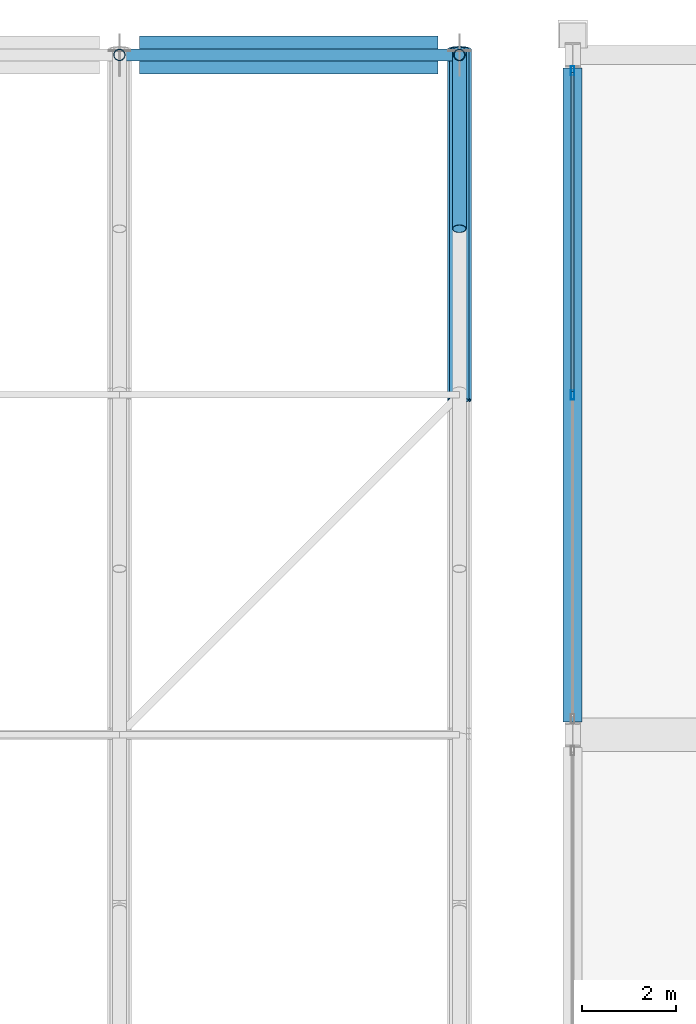
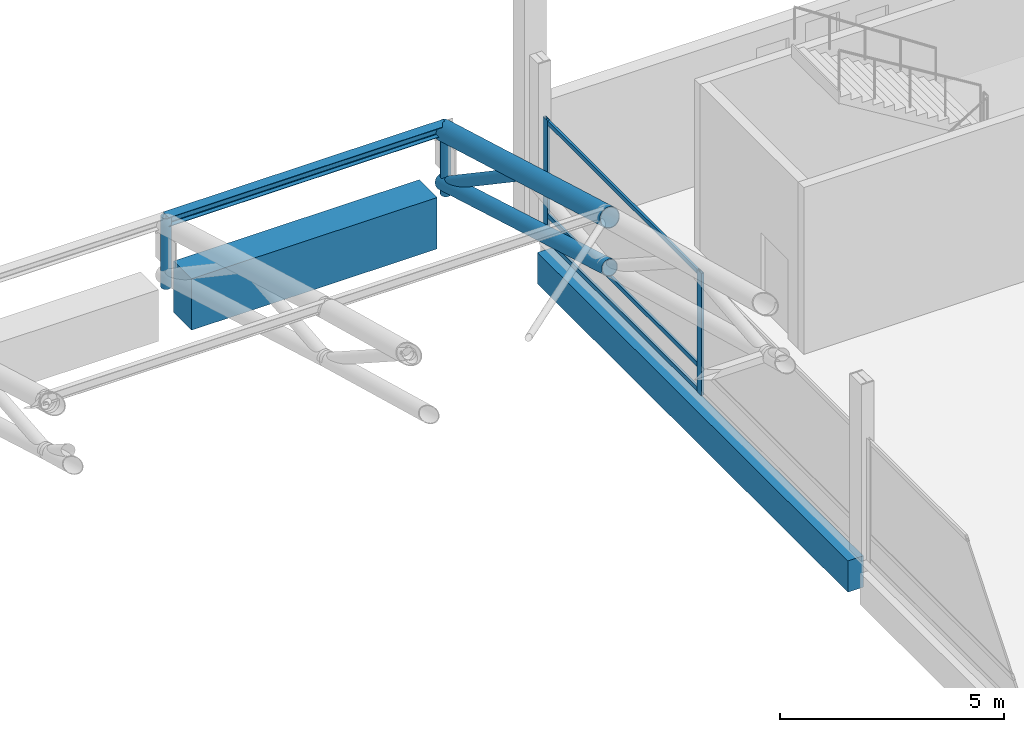
# One storey, part 102 of 193: 11 members, 2 beams, 1 element without a shape of its own.
"""IFC4 building model written with IfcOpenShell, lengths in metres."""

from ifc_helpers import new_model, si_unit, direction, frame, origin, origin_2d, place, context, subcontext, project, spatial, rectangle, hollow_rectangle, hollow_circle, i_section, extrude, material, material_profile, profile_set, type_object, element, aggregate, save


model = new_model("IFC4")

# Units and contexts
model_context = context("Model", 3, precision=1e-05, world=origin(), true_north=direction((0.0, 1.0)))
body_context = subcontext(model_context, "Body", "Model", "MODEL_VIEW")
ifc_project = project(units=[si_unit("LENGTHUNIT", "METRE"), si_unit("AREAUNIT", "SQUARE_METRE"), si_unit("VOLUMEUNIT", "CUBIC_METRE"), si_unit("PLANEANGLEUNIT", "RADIAN"), si_unit("MASSUNIT", "GRAM", prefix="KILO")], contexts=[model_context])

# Site, building, storey
site_placement = place(None, origin())
site = spatial("IfcSite", under=ifc_project, at=site_placement, CompositionType="ELEMENT")
building_placement = place(site_placement, origin())
building = spatial("IfcBuilding", under=site, at=building_placement, Name="Cendralis Lancet Convention Centre", CompositionType="ELEMENT")
storey_placement = place(building_placement, frame((0.0, 0.0, 10.199951171875)))
storey = spatial("IfcBuildingStorey", under=building, at=storey_placement, Name="L02", CompositionType="ELEMENT", Elevation=10.199951171875)

# Curtain wall, members
ifc_material_1 = material(Name="Anodised bronze architectural aluminium", Category="aluminium")
curtain_wall_type = type_object("IfcCurtainWallType", Name="ARC-CW-BL01", PredefinedType="USERDEFINED", material=ifc_material_1)
curtain_wall_placement = place(storey_placement, origin())
curtain_wall = element("IfcCurtainWall", 1, at=curtain_wall_placement, inside=storey, type_object=curtain_wall_type, Name="L02 Curtain Wall CW-BL1 #159", ObjectType="CURTAIN WALL", PredefinedType="USERDEFINED")
ifc_material_profile_1 = material_profile(ifc_material_1, hollow_rectangle(XDim=0.070068359375, YDim=0.199951171875, WallThickness=0.0048828125, at=origin_2d()), Name="AL-MULL 70x200x5.0")
ifc_profile_set_1 = profile_set([ifc_material_profile_1], Name="Anodised bronze architectural aluminium")
member_type_1 = type_object("IfcMemberType", Name="ARC-CW-ML02", PredefinedType="MULLION", material=ifc_profile_set_1)
member_1_placement = place(storey_placement, frame((124.800048828125, 129.60009765625, 0.0), z_axis=(0.0, 0.0, 1.0), x_axis=(1.0, 0.0, 0.0)))
member_1 = element("IfcMember", 2, at=member_1_placement, type_object=member_type_1, Name="Mullion CW2-CW-BL1-L02-159-M1", PredefinedType="MULLION", context=body_context, shape_type="SweptSolid", body=[
    extrude(hollow_rectangle(XDim=0.070068359375, YDim=0.199951171875, WallThickness=0.0048828125, at=origin_2d()), origin(), (0.0, 0.0, 1.0), 3.324951171875),
])
member_2_placement = place(storey_placement, frame((124.800048828125, 136.465087890625, 0.0), z_axis=(0.0, 0.0, 1.0), x_axis=(1.0, 0.0, 0.0)))
member_2 = element("IfcMember", 3, at=member_2_placement, type_object=member_type_1, Name="Mullion CW2-CW-BL1-L02-159-M2", PredefinedType="MULLION", context=body_context, shape_type="SweptSolid", body=[
    extrude(hollow_rectangle(XDim=0.070068359375, YDim=0.199951171875, WallThickness=0.0048828125, at=origin_2d()), origin(), (0.0, 0.0, 1.0), 3.324951171875),
])
ifc_material_profile_2 = material_profile(ifc_material_1, hollow_rectangle(XDim=0.06005859375, YDim=0.1201171875, WallThickness=0.00390625, at=origin_2d()), Name="AL-TRAN 60x120x4.0")
ifc_profile_set_2 = profile_set([ifc_material_profile_2], Name="Anodised bronze architectural aluminium")
member_type_2 = type_object("IfcMemberType", Name="ARC-CW-TR01", PredefinedType="USERDEFINED", material=ifc_profile_set_2)
member_3_placement = place(storey_placement, frame((124.800048828125, 129.669921875, 0.06005859375), z_axis=(0.0, 1.0, 0.0), x_axis=(-1.0, 0.0, 0.0)))
member_3 = element("IfcMember", 4, at=member_3_placement, type_object=member_type_2, Name="Transom CW2-CW-BL1-L02-159-T1BOT", ObjectType="TRANSOM", PredefinedType="USERDEFINED", context=body_context, shape_type="SweptSolid", body=[
    extrude(hollow_rectangle(XDim=0.06005859375, YDim=0.1201171875, WallThickness=0.00390625, at=origin_2d()), origin(), (0.0, 0.0, 1.0), 6.760009765625),
])
member_4_placement = place(storey_placement, frame((124.800048828125, 129.669921875, 0.7314453125), z_axis=(0.0, 1.0, 0.0), x_axis=(-1.0, 0.0, 0.0)))
member_4 = element("IfcMember", 5, at=member_4_placement, type_object=member_type_2, Name="Transom CW2-CW-BL1-L02-159-T1MID", ObjectType="TRANSOM", PredefinedType="USERDEFINED", context=body_context, shape_type="SweptSolid", body=[
    extrude(hollow_rectangle(XDim=0.06005859375, YDim=0.1201171875, WallThickness=0.00390625, at=origin_2d()), origin(), (0.0, 0.0, 1.0), 6.760009765625),
])
member_5_placement = place(storey_placement, frame((124.800048828125, 129.669921875, 3.26513671875), z_axis=(0.0, 1.0, 0.0), x_axis=(-1.0, 0.0, 0.0)))
member_5 = element("IfcMember", 6, at=member_5_placement, type_object=member_type_2, Name="Transom CW2-CW-BL1-L02-159-T1TOP", ObjectType="TRANSOM", PredefinedType="USERDEFINED", context=body_context, shape_type="SweptSolid", body=[
    extrude(hollow_rectangle(XDim=0.06005859375, YDim=0.1201171875, WallThickness=0.00390625, at=origin_2d()), origin(), (0.0, 0.0, 1.0), 6.760009765625),
])
aggregate(curtain_wall, [member_1, member_2, member_3, member_4, member_5])

# Beam
ifc_material_2 = material(Name="Concrete G40 (C40/50)", Category="concrete")
ifc_material_profile_3 = material_profile(ifc_material_2, rectangle(XDim=0.800048828125, YDim=1.39990234375, at=origin_2d()), Name="RCB 800x1400")
ifc_profile_set_3 = profile_set([ifc_material_profile_3], Name="Concrete G40 (C40/50)")
beam_type_1 = type_object("IfcBeamType", Name="STR-BM-BG17", PredefinedType="BEAM", material=ifc_profile_set_3)
beam_1_placement = place(storey_placement, frame((115.625, 136.800048828125, 1.5), z_axis=(1.0, 0.0, 0.0), x_axis=(0.0, 1.0, 0.0)))
element("IfcBeam", 7, at=beam_1_placement, inside=storey, type_object=beam_type_1, Name="L02 Beam BG17 #1336", PredefinedType="BEAM", context=body_context, shape_type="SweptSolid", body=[
    extrude(rectangle(XDim=0.800048828125, YDim=1.39990234375, at=origin_2d()), origin(), (0.0, 0.0, 1.0), 6.324951171875),
])

# Member
ifc_material_3 = material(Name="Steel S355", Category="steel")
ifc_material_profile_4 = material_profile(ifc_material_3, i_section(OverallWidth=0.260009765625, OverallDepth=0.25, WebThickness=0.007568359375, FlangeThickness=0.012451171875, FilletRadius=0.02392578125, at=origin_2d()), Name="HEA 260")
ifc_profile_set_4 = profile_set([ifc_material_profile_4], Name="Steel S355")
member_type_3 = type_object("IfcMemberType", Name="STR-PR-PR07", PredefinedType="PURLIN", material=ifc_profile_set_4)
member_6_placement = place(storey_placement, frame((115.199951171875, 136.800048828125, 3.72509765625), z_axis=(1.0, 0.0, 0.0), x_axis=(0.0, 1.0, 0.0)))
element("IfcMember", 8, at=member_6_placement, inside=storey, type_object=member_type_3, Name="Vault Roof Purlin PR07 V1-13-12", PredefinedType="PURLIN", context=body_context, shape_type="SweptSolid", body=[
    extrude(i_section(OverallWidth=0.260009765625, OverallDepth=0.25, WebThickness=0.007568359375, FlangeThickness=0.012451171875, FilletRadius=0.02392578125, at=origin_2d()), origin(), (0.0, 0.0, 1.0), 7.199951171875),
])

# Beam
ifc_material_profile_5 = material_profile(ifc_material_2, rectangle(XDim=0.39990234375, YDim=0.85009765625, at=origin_2d()), Name="RCB 400x850")
ifc_profile_set_5 = profile_set([ifc_material_profile_5], Name="Concrete G40 (C40/50)")
beam_type_2 = type_object("IfcBeamType", Name="STR-SP-SP02", PredefinedType="SPANDREL", material=ifc_profile_set_5)
beam_2_placement = place(storey_placement, frame((124.800048828125, 122.675048828125, -0.724853515625), z_axis=(0.0, 1.0, 0.0), x_axis=(-1.0, 0.0, 0.0)))
element("IfcBeam", 9, at=beam_2_placement, inside=storey, type_object=beam_type_2, Name="L02 Beam SP02 #1723", PredefinedType="SPANDREL", context=body_context, shape_type="SweptSolid", body=[
    extrude(rectangle(XDim=0.39990234375, YDim=0.85009765625, at=origin_2d()), origin(), (0.0, 0.0, 1.0), 13.849853515625),
])

# Members
ifc_material_profile_6 = material_profile(ifc_material_3, hollow_circle(Radius=0.203125, WallThickness=0.01611328125, at=origin_2d()), Name="CHS 406.4x16.0")
ifc_profile_set_6 = profile_set([ifc_material_profile_6], Name="Steel S355")
member_type_4 = type_object("IfcMemberType", Name="STR-TR-BC01", PredefinedType="CHORD", material=ifc_profile_set_6)
member_7_placement = place(storey_placement, frame((122.39990234375, 129.48486328125, 4.32763671875), z_axis=(0.0, 0.960210680483, -0.279276653315), x_axis=(-1.0, 0.0, 0.0)))
element("IfcMember", 10, at=member_7_placement, inside=storey, type_object=member_type_4, Name="ROOF TRUSS AT-V1-15 Bottom Chord 11", PredefinedType="CHORD", context=body_context, shape_type="SweptSolid", body=[
    extrude(hollow_circle(Radius=0.203125, WallThickness=0.01611328125, at=origin_2d()), origin(), (0.0, 0.0, 1.0), 7.73828125),
])
ifc_material_profile_7 = material_profile(ifc_material_3, hollow_circle(Radius=0.25390625, WallThickness=0.02001953125, at=origin_2d()), Name="CHS 508.0x20.0")
ifc_profile_set_7 = profile_set([ifc_material_profile_7], Name="Steel S355")
member_type_5 = type_object("IfcMemberType", Name="STR-TR-TC01", PredefinedType="CHORD", material=ifc_profile_set_7)
member_8_placement = place(storey_placement, frame((122.39990234375, 129.484619140625, 5.689697265625), z_axis=(0.0, 0.961540636093, -0.274662711598), x_axis=(-1.0, 0.0, 0.0)))
element("IfcMember", 11, at=member_8_placement, inside=storey, type_object=member_type_5, Name="ROOF TRUSS AT-V1-15 Top Chord 11", PredefinedType="CHORD", context=body_context, shape_type="SweptSolid", body=[
    extrude(hollow_circle(Radius=0.25390625, WallThickness=0.02001953125, at=origin_2d()), origin(), (0.0, 0.0, 1.0), 7.727783203125),
])
ifc_material_profile_8 = material_profile(ifc_material_3, hollow_circle(Radius=0.149169921875, WallThickness=0.012451171875, at=origin_2d()), Name="CHS 298.5x12.5")
ifc_profile_set_8 = profile_set([ifc_material_profile_8], Name="Steel S355")
member_type_6 = type_object("IfcMemberType", Name="STR-TR-WD01", PredefinedType="BRACE", material=ifc_profile_set_8)
member_9_placement = place(storey_placement, frame((122.39990234375, 133.1171875, 4.684326171875), z_axis=(0.0, 0.82900316973, -0.559243904372), x_axis=(-1.0, 0.0, 0.0)))
element("IfcMember", 12, at=member_9_placement, inside=storey, type_object=member_type_6, Name="ROOF TRUSS AT-V1-15 Warren Web 11-1", PredefinedType="BRACE", context=body_context, shape_type="SweptSolid", body=[
    extrude(hollow_circle(Radius=0.149169921875, WallThickness=0.012451171875, at=origin_2d()), origin(), (0.0, 0.0, 1.0), 4.542236328125),
])
ifc_material_profile_9 = material_profile(ifc_material_3, hollow_circle(Radius=0.122314453125, WallThickness=0.010009765625, at=origin_2d()), Name="CHS 244.5x10.0")
ifc_profile_set_9 = profile_set([ifc_material_profile_9], Name="Steel S355")
member_type_7 = type_object("IfcMemberType", Name="STR-TR-WV01", PredefinedType="POST", material=ifc_profile_set_9)
member_10_placement = place(storey_placement, frame((122.39990234375, 136.800048828125, 1.900146484375), z_axis=(0.0, 0.0, 1.0), x_axis=(1.0, 0.0, 0.0)))
element("IfcMember", 13, at=member_10_placement, inside=storey, type_object=member_type_7, Name="ROOF TRUSS AT-V1-15 Springing Post N12", PredefinedType="POST", context=body_context, shape_type="SweptSolid", body=[
    extrude(hollow_circle(Radius=0.122314453125, WallThickness=0.010009765625, at=origin_2d()), origin(), (0.0, 0.0, 1.0), 1.919921875),
])
ifc_material_profile_10 = material_profile(ifc_material_3, hollow_circle(Radius=0.122314453125, WallThickness=0.010009765625, at=origin_2d()), Name="CHS 244.5x10.0")
ifc_profile_set_10 = profile_set([ifc_material_profile_10], Name="Steel S355")
member_type_8 = type_object("IfcMemberType", Name="STR-TR-WV01-INT", PredefinedType="POST", material=ifc_profile_set_10)
member_11_placement = place(storey_placement, frame((115.199951171875, 136.800048828125, 1.900146484375), z_axis=(0.0, 0.0, 1.0), x_axis=(1.0, 0.0, 0.0)))
element("IfcMember", 14, at=member_11_placement, inside=storey, type_object=member_type_8, Name="ROOF TRUSS AT-V1-14 Springing Post N12", PredefinedType="POST", context=body_context, shape_type="SweptSolid", body=[
    extrude(hollow_circle(Radius=0.122314453125, WallThickness=0.010009765625, at=origin_2d()), origin(), (0.0, 0.0, 1.0), 1.919921875),
])

save(model, "model.ifc")
